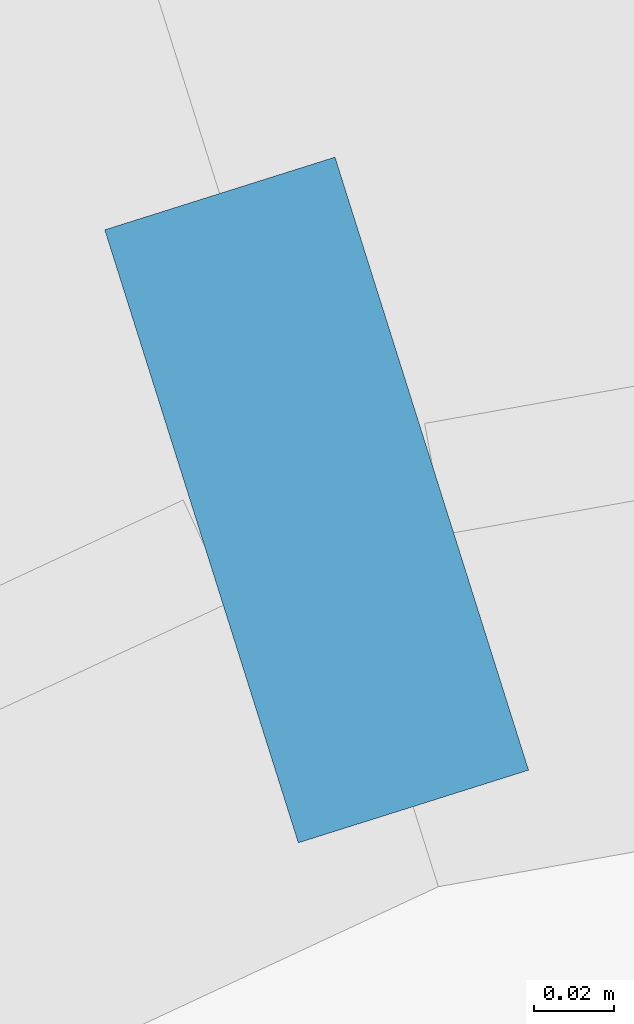
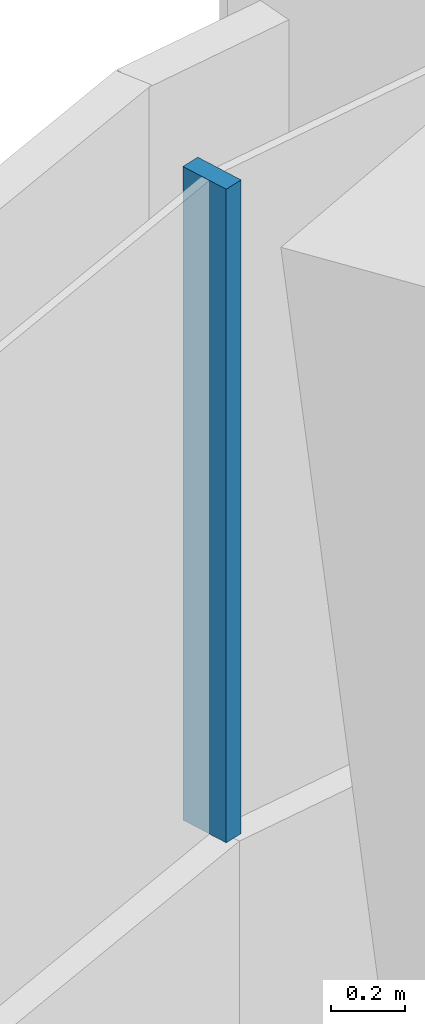
# One storey, part 19 of 36: 1 member, 1 element without a shape of its own.
"""IFC4 building model written with IfcOpenShell, lengths in metres."""

from ifc_helpers import new_model, si_unit, direction, frame, origin, origin_2d, place, context, subcontext, project, spatial, rectangle, extrude, material, layer, layer_set, material_profile, profile_set, type_object, element, aggregate, save


model = new_model("IFC4")

# Units and contexts
model_context = context("Model", 3, precision=1e-05, world=origin(), true_north=direction((0.0, 1.0)))
body_context = subcontext(model_context, "Body", "Model", "MODEL_VIEW")
ifc_project = project(units=[si_unit("LENGTHUNIT", "METRE"), si_unit("AREAUNIT", "SQUARE_METRE"), si_unit("VOLUMEUNIT", "CUBIC_METRE"), si_unit("PLANEANGLEUNIT", "RADIAN"), si_unit("MASSUNIT", "GRAM", prefix="KILO")], contexts=[model_context])

# Site, building, storey
site_placement = place(None, origin())
site = spatial("IfcSite", under=ifc_project, at=site_placement, CompositionType="ELEMENT")
building_placement = place(site_placement, origin())
building = spatial("IfcBuilding", under=site, at=building_placement, Name="Tamarind Cross Interchange Tower", CompositionType="ELEMENT")
storey_placement = place(building_placement, frame((0.0, 0.0, 124.75)))
storey = spatial("IfcBuildingStorey", under=building, at=storey_placement, Name="L30", CompositionType="ELEMENT", Elevation=124.75)

# Curtain wall, member
ifc_material = material(Name="Aluminium 6063-T6", Category="aluminium")
ifc_layer = layer(ifc_material, 0.159912109375)
ifc_layer_set = layer_set([ifc_layer], Name="Aluminium 6063-T6")
curtain_wall_type = type_object("IfcCurtainWallType", Name="Office curtain wall, 9.0 m bays", PredefinedType="NOTDEFINED", material=ifc_layer_set)
curtain_wall_placement = place(storey_placement, origin())
curtain_wall = element("IfcCurtainWall", 1, at=curtain_wall_placement, inside=storey, type_object=curtain_wall_type, Name="CWS-L30-09", PredefinedType="NOTDEFINED")
ifc_material_profile = material_profile(ifc_material, rectangle(XDim=0.06005859375, YDim=0.159912109375, at=origin_2d()), Name="Mullion CW1")
ifc_profile_set = profile_set([ifc_material_profile], Name="Aluminium 6063-T6")
member_type = type_object("IfcMemberType", Name="Mullion CW1", PredefinedType="MULLION", material=ifc_profile_set)
member_placement = place(storey_placement, frame((42.040283203125, 16.884521484375, 1.39990234375), z_axis=(0.0, 0.0, 1.0), x_axis=(-0.953593300698, -0.301097686581, 0.0)))
member = element("IfcMember", 2, at=member_placement, type_object=member_type, Name="CWM-L30-09-00", PredefinedType="MULLION", context=body_context, shape_type="SweptSolid", body=[
    extrude(rectangle(XDim=0.06005859375, YDim=0.159912109375, at=origin_2d()), origin(), (0.0, 0.0, 1.0), 2.170166015625),
])
aggregate(curtain_wall, [member])

save(model, "model.ifc")
